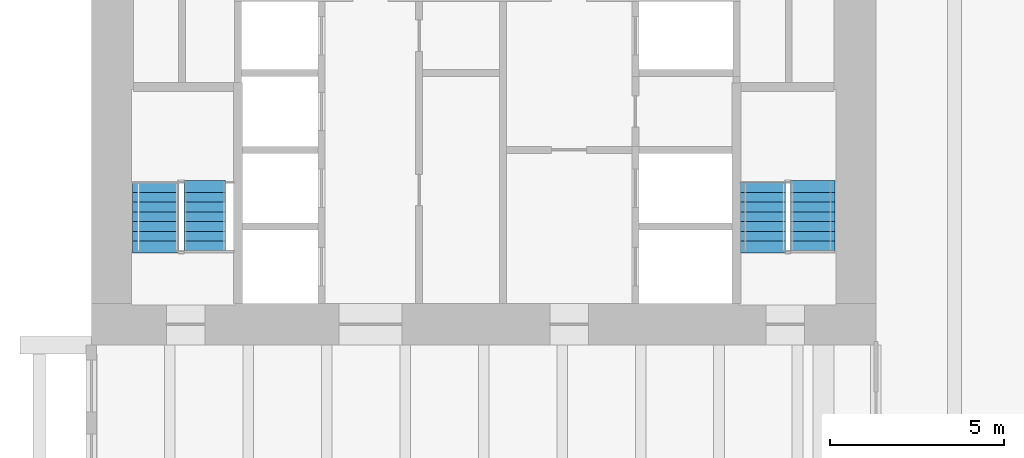
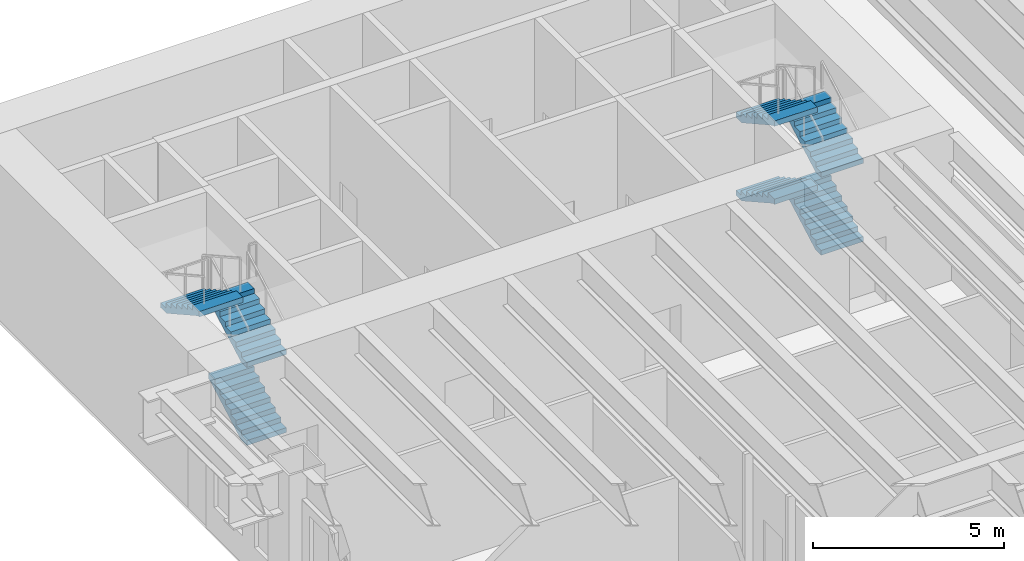
# One storey, part 18 of 21: 7 stair flights, 2 elements without a shape of their own.
"""IFC4 building model written with IfcOpenShell, lengths in metres."""

from ifc_helpers import new_model, si_unit, direction, frame, origin, place, context, subcontext, project, spatial, polyline, outline, extrude, material, type_object, element, aggregate, save


model = new_model("IFC4")

# Units and contexts
model_context = context("Model", 3, precision=1e-05, world=origin(), true_north=direction((0.0, 1.0)))
body_context = subcontext(model_context, "Body", "Model", "MODEL_VIEW")
ifc_project = project(units=[si_unit("LENGTHUNIT", "METRE"), si_unit("AREAUNIT", "SQUARE_METRE"), si_unit("VOLUMEUNIT", "CUBIC_METRE"), si_unit("PLANEANGLEUNIT", "RADIAN"), si_unit("MASSUNIT", "GRAM", prefix="KILO")], contexts=[model_context])

# Site, building, storey
site_placement = place(None, origin())
site = spatial("IfcSite", under=ifc_project, at=site_placement, CompositionType="ELEMENT")
building_placement = place(site_placement, origin())
building = spatial("IfcBuilding", under=site, at=building_placement, Name="Sennacour Bend Tower", CompositionType="ELEMENT")
storey_placement = place(building_placement, frame((0.0, 0.0, 24.0)))
storey = spatial("IfcBuildingStorey", under=building, at=storey_placement, Name="L04", CompositionType="ELEMENT", Elevation=24.0)

# Stair, stair flights
ifc_material = material(Name="Concrete C40/50", Category="concrete")
stair_type = type_object("IfcStairType", Name="ST-DOGLEG", PredefinedType="HALF_TURN_STAIR", material=ifc_material)
stair_1_placement = place(storey_placement, origin())
stair_1 = element("IfcStair", 1, at=stair_1_placement, inside=storey, type_object=stair_type, Name="L04 Exit stair B1", PredefinedType="HALF_TURN_STAIR")
stair_flight_type = type_object("IfcStairFlightType", Name="SFL-RC", PredefinedType="STRAIGHT", material=ifc_material)
stair_flight_1_placement = place(storey_placement, frame((3.25, 38.699951171875, 0.0), z_axis=(0.0, 0.0, 1.0), x_axis=(0.0, 1.0, 0.0)))
stair_flight_1 = element("IfcStairFlight", 2, at=stair_flight_1_placement, type_object=stair_flight_type, Name="SB1 flight 1", NumberOfRisers=8, NumberOfTreads=7, PredefinedType="STRAIGHT", RiserHeight=0.15625, TreadLength=0.28, context=body_context, shape_type="SweptSolid", body=[
    extrude(outline(polyline([(0.0, 0.0), (0.0, 0.15625), (0.280029296875, 0.15625), (0.280029296875, 0.3125), (0.56005859375, 0.3125), (0.56005859375, 0.46875), (0.840087890625, 0.46875), (0.840087890625, 0.625), (1.1201171875, 0.625), (1.1201171875, 0.78125), (1.39990234375, 0.78125), (1.39990234375, 0.9375), (1.679931640625, 0.9375), (1.679931640625, 1.09375), (1.9599609375, 1.09375), (2.02001953125, 1.09375), (2.02001953125, 0.922119140625), (1.9599609375, 0.922119140625), (0.3076171875, 0.0), (0.0, 0.0)])), frame((0.0, 0.60009765625, 0.0), z_axis=(0.0, -1.0, 0.0), x_axis=(1.0, 0.0, 0.0)), (0.0, 0.0, 1.0), 1.199951171875),
])
stair_flight_2_placement = place(storey_placement, frame((3.25, 38.699951171875, 2.5), z_axis=(0.0, 0.0, 1.0), x_axis=(0.0, 1.0, 0.0)))
stair_flight_2 = element("IfcStairFlight", 3, at=stair_flight_2_placement, type_object=stair_flight_type, Name="SB1 flight 3", NumberOfRisers=8, NumberOfTreads=7, PredefinedType="STRAIGHT", RiserHeight=0.15625, TreadLength=0.28, context=body_context, shape_type="SweptSolid", body=[
    extrude(outline(polyline([(0.0, 0.0), (0.0, 0.15625), (0.280029296875, 0.15625), (0.280029296875, 0.3125), (0.56005859375, 0.3125), (0.56005859375, 0.46875), (0.840087890625, 0.46875), (0.840087890625, 0.625), (1.1201171875, 0.625), (1.1201171875, 0.78125), (1.39990234375, 0.78125), (1.39990234375, 0.9375), (1.679931640625, 0.9375), (1.679931640625, 1.09375), (1.9599609375, 1.09375), (2.02001953125, 1.09375), (2.02001953125, 0.922119140625), (1.9599609375, 0.922119140625), (0.3076171875, 0.0), (0.0, 0.0)])), frame((0.0, 0.60009765625, 0.0), z_axis=(0.0, -1.0, 0.0), x_axis=(1.0, 0.0, 0.0)), (0.0, 0.0, 1.0), 1.199951171875),
])
stair_flight_3_placement = place(storey_placement, frame((1.8349609375, 40.659912109375, 3.75), z_axis=(0.0, 0.0, 1.0), x_axis=(0.0, -1.0, 0.0)))
stair_flight_3 = element("IfcStairFlight", 4, at=stair_flight_3_placement, type_object=stair_flight_type, Name="SB1 flight 4", NumberOfRisers=8, NumberOfTreads=7, PredefinedType="STRAIGHT", RiserHeight=0.15625, TreadLength=0.28, context=body_context, shape_type="SweptSolid", body=[
    extrude(outline(polyline([(0.0, 0.0), (0.0, 0.15625), (0.280029296875, 0.15625), (0.280029296875, 0.3125), (0.56005859375, 0.3125), (0.56005859375, 0.46875), (0.840087890625, 0.46875), (0.840087890625, 0.625), (1.1201171875, 0.625), (1.1201171875, 0.78125), (1.39990234375, 0.78125), (1.39990234375, 0.9375), (1.679931640625, 0.9375), (1.679931640625, 1.09375), (1.9599609375, 1.09375), (2.02001953125, 1.09375), (2.02001953125, 0.922119140625), (1.9599609375, 0.922119140625), (0.3076171875, 0.0), (0.0, 0.0)])), frame((0.0, 0.6650390625, 0.0), z_axis=(0.0, -1.0, 0.0), x_axis=(1.0, 0.0, 0.0)), (0.0, 0.0, 1.0), 1.330078125),
])
aggregate(stair_1, [stair_flight_1, stair_flight_2, stair_flight_3])

stair_2_placement = place(storey_placement, origin())
stair_2 = element("IfcStair", 5, at=stair_2_placement, inside=storey, type_object=stair_type, Name="L04 Exit stair B2", PredefinedType="HALF_TURN_STAIR")
stair_flight_4_placement = place(storey_placement, frame((20.68994140625, 38.699951171875, 0.0), z_axis=(0.0, 0.0, 1.0), x_axis=(0.0, 1.0, 0.0)))
stair_flight_4 = element("IfcStairFlight", 6, at=stair_flight_4_placement, type_object=stair_flight_type, Name="SB2 flight 1", NumberOfRisers=8, NumberOfTreads=7, PredefinedType="STRAIGHT", RiserHeight=0.15625, TreadLength=0.28, context=body_context, shape_type="SweptSolid", body=[
    extrude(outline(polyline([(0.0, 0.0), (0.0, 0.15625), (0.280029296875, 0.15625), (0.280029296875, 0.3125), (0.56005859375, 0.3125), (0.56005859375, 0.46875), (0.840087890625, 0.46875), (0.840087890625, 0.625), (1.1201171875, 0.625), (1.1201171875, 0.78125), (1.39990234375, 0.78125), (1.39990234375, 0.9375), (1.679931640625, 0.9375), (1.679931640625, 1.09375), (1.9599609375, 1.09375), (2.02001953125, 1.09375), (2.02001953125, 0.922119140625), (1.9599609375, 0.922119140625), (0.3076171875, 0.0), (0.0, 0.0)])), frame((0.0, 0.64013671875, 0.0), z_axis=(0.0, -1.0, 0.0), x_axis=(1.0, 0.0, 0.0)), (0.0, 0.0, 1.0), 1.280029296875),
])
stair_flight_5_placement = place(storey_placement, frame((19.24755859375, 40.659912109375, 1.25), z_axis=(0.0, 0.0, 1.0), x_axis=(0.0, -1.0, 0.0)))
stair_flight_5 = element("IfcStairFlight", 7, at=stair_flight_5_placement, type_object=stair_flight_type, Name="SB2 flight 2", NumberOfRisers=8, NumberOfTreads=7, PredefinedType="STRAIGHT", RiserHeight=0.15625, TreadLength=0.28, context=body_context, shape_type="SweptSolid", body=[
    extrude(outline(polyline([(0.0, 0.0), (0.0, 0.15625), (0.280029296875, 0.15625), (0.280029296875, 0.3125), (0.56005859375, 0.3125), (0.56005859375, 0.46875), (0.840087890625, 0.46875), (0.840087890625, 0.625), (1.1201171875, 0.625), (1.1201171875, 0.78125), (1.39990234375, 0.78125), (1.39990234375, 0.9375), (1.679931640625, 0.9375), (1.679931640625, 1.09375), (1.9599609375, 1.09375), (2.02001953125, 1.09375), (2.02001953125, 0.922119140625), (1.9599609375, 0.922119140625), (0.3076171875, 0.0), (0.0, 0.0)])), frame((0.0, 0.65234375, 0.0), z_axis=(0.0, -1.0, 0.0), x_axis=(1.0, 0.0, 0.0)), (0.0, 0.0, 1.0), 1.304931640625),
])
stair_flight_6_placement = place(storey_placement, frame((20.68994140625, 38.699951171875, 2.5), z_axis=(0.0, 0.0, 1.0), x_axis=(0.0, 1.0, 0.0)))
stair_flight_6 = element("IfcStairFlight", 8, at=stair_flight_6_placement, type_object=stair_flight_type, Name="SB2 flight 3", NumberOfRisers=8, NumberOfTreads=7, PredefinedType="STRAIGHT", RiserHeight=0.15625, TreadLength=0.28, context=body_context, shape_type="SweptSolid", body=[
    extrude(outline(polyline([(0.0, 0.0), (0.0, 0.15625), (0.280029296875, 0.15625), (0.280029296875, 0.3125), (0.56005859375, 0.3125), (0.56005859375, 0.46875), (0.840087890625, 0.46875), (0.840087890625, 0.625), (1.1201171875, 0.625), (1.1201171875, 0.78125), (1.39990234375, 0.78125), (1.39990234375, 0.9375), (1.679931640625, 0.9375), (1.679931640625, 1.09375), (1.9599609375, 1.09375), (2.02001953125, 1.09375), (2.02001953125, 0.922119140625), (1.9599609375, 0.922119140625), (0.3076171875, 0.0), (0.0, 0.0)])), frame((0.0, 0.64013671875, 0.0), z_axis=(0.0, -1.0, 0.0), x_axis=(1.0, 0.0, 0.0)), (0.0, 0.0, 1.0), 1.280029296875),
])
stair_flight_7_placement = place(storey_placement, frame((19.24755859375, 40.659912109375, 3.75), z_axis=(0.0, 0.0, 1.0), x_axis=(0.0, -1.0, 0.0)))
stair_flight_7 = element("IfcStairFlight", 9, at=stair_flight_7_placement, type_object=stair_flight_type, Name="SB2 flight 4", NumberOfRisers=8, NumberOfTreads=7, PredefinedType="STRAIGHT", RiserHeight=0.15625, TreadLength=0.28, context=body_context, shape_type="SweptSolid", body=[
    extrude(outline(polyline([(0.0, 0.0), (0.0, 0.15625), (0.280029296875, 0.15625), (0.280029296875, 0.3125), (0.56005859375, 0.3125), (0.56005859375, 0.46875), (0.840087890625, 0.46875), (0.840087890625, 0.625), (1.1201171875, 0.625), (1.1201171875, 0.78125), (1.39990234375, 0.78125), (1.39990234375, 0.9375), (1.679931640625, 0.9375), (1.679931640625, 1.09375), (1.9599609375, 1.09375), (2.02001953125, 1.09375), (2.02001953125, 0.922119140625), (1.9599609375, 0.922119140625), (0.3076171875, 0.0), (0.0, 0.0)])), frame((0.0, 0.65234375, 0.0), z_axis=(0.0, -1.0, 0.0), x_axis=(1.0, 0.0, 0.0)), (0.0, 0.0, 1.0), 1.304931640625),
])
aggregate(stair_2, [stair_flight_4, stair_flight_5, stair_flight_6, stair_flight_7])

save(model, "model.ifc")
